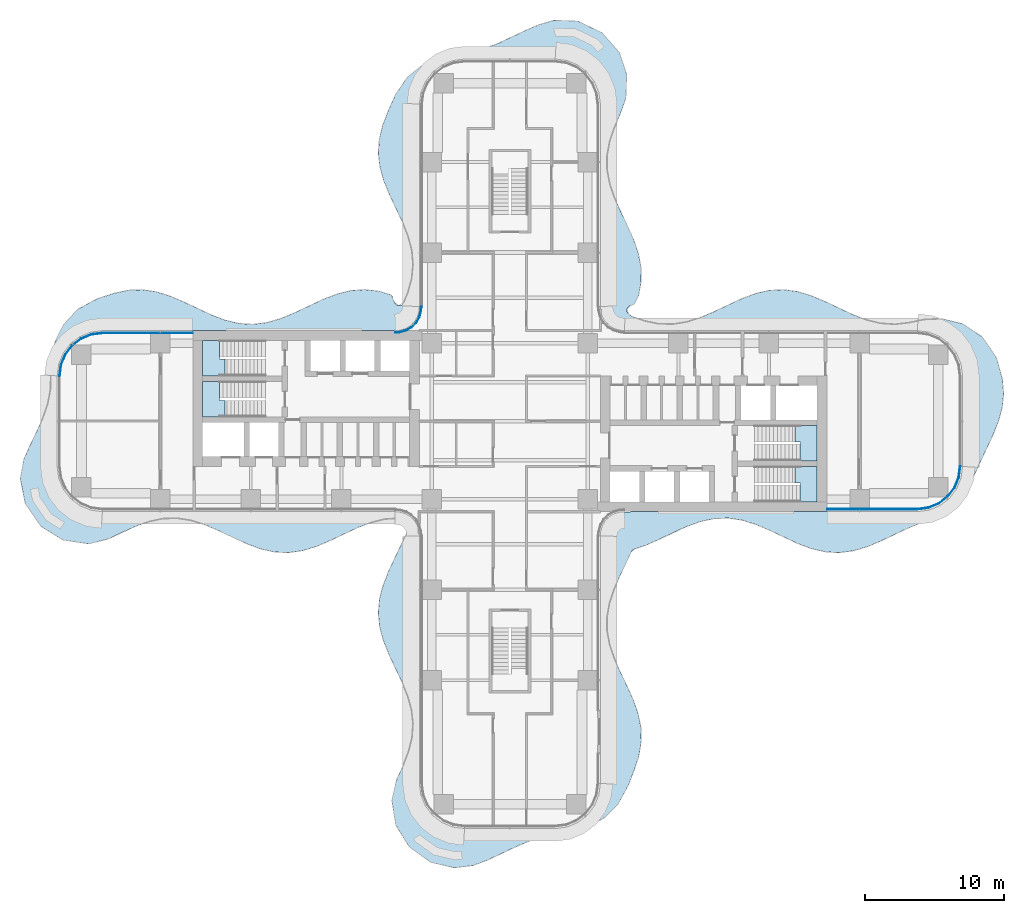
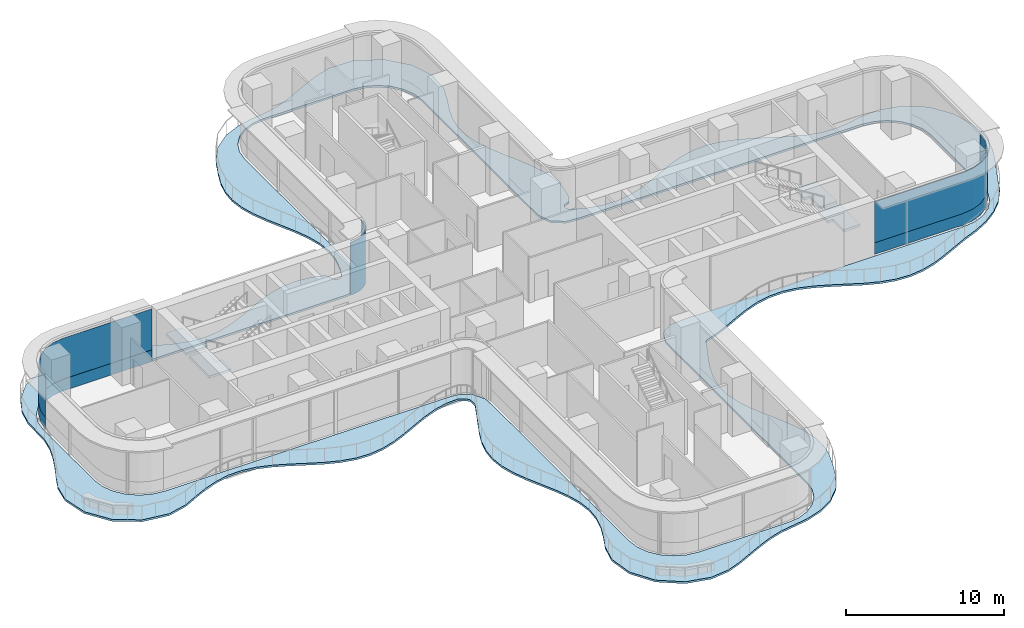
# One storey, part 15 of 23: 5 plates, 5 slabs, 7 elements without a shape of their own.
"""IFC4 building model written with IfcOpenShell, lengths in metres."""

from ifc_helpers import new_model, si_unit, direction, frame, origin, place, context, subcontext, project, spatial, polyline, outline, extrude, source, transform, mapped, material, layer, layer_set, type_object, element, aggregate, save


model = new_model("IFC4")

# Units and contexts
model_context = context("Model", 3, precision=1e-05, world=origin(), true_north=direction((0.0, 1.0)))
body_context = subcontext(model_context, "Body", "Model", "MODEL_VIEW")
ifc_project = project(units=[si_unit("LENGTHUNIT", "METRE"), si_unit("AREAUNIT", "SQUARE_METRE"), si_unit("VOLUMEUNIT", "CUBIC_METRE"), si_unit("PLANEANGLEUNIT", "RADIAN"), si_unit("MASSUNIT", "GRAM", prefix="KILO")], contexts=[model_context])

# Site, building, storey
site_placement = place(None, origin())
site = spatial("IfcSite", under=ifc_project, at=site_placement, CompositionType="ELEMENT")
building_placement = place(site_placement, origin())
building = spatial("IfcBuilding", under=site, at=building_placement, Name="Trellis Farm Tower", CompositionType="ELEMENT")
storey_placement = place(building_placement, frame((0.0, 0.0, 74.5)))
storey = spatial("IfcBuildingStorey", under=building, at=storey_placement, Name="L15", CompositionType="ELEMENT", Elevation=74.5)

# Slab
ifc_material_1 = material(Name="Concrete C40/50", Category="concrete")
ifc_layer_1 = layer(ifc_material_1, 0.14990234375)
ifc_layer_set_1 = layer_set([ifc_layer_1], Name="Balcony slab 150")
slab_type_1 = type_object("IfcSlabType", Name="Balcony slab 150", PredefinedType="FLOOR", material=ifc_layer_set_1)
slab_1_placement = place(storey_placement, frame((0.0, 0.0, -0.14990234375)))
element("IfcSlab", 1, at=slab_1_placement, inside=storey, type_object=slab_type_1, Name="Balcony slab", PredefinedType="FLOOR", context=body_context, shape_type="SweptSolid", body=[
    extrude(outline(polyline([(-21.897705078125, -7.43310546875), (-22.895263671875, -7.11865234375), (-22.906494140625, -7.115966796875), (-23.89697265625, -6.96435546875), (-23.910400390625, -6.963623046875), (-24.892578125, -6.99365234375), (-24.905517578125, -6.9951171875), (-25.883544921875, -7.199462890625), (-25.893310546875, -7.2021484375), (-26.873046875, -7.551513671875), (-26.87890625, -7.5537109375), (-27.86279296875, -7.9990234375), (-27.864501953125, -8.0), (-28.825927734375, -8.4638671875), (-28.85546875, -8.474609375), (-30.1748046875, -8.79931640625), (-30.20361328125, -8.803466796875), (-30.24072265625, -8.80517578125), (-30.26953125, -8.8037109375), (-32.01025390625, -8.547607421875), (-32.039794921875, -8.540283203125), (-32.076904296875, -8.526611328125), (-32.104248046875, -8.513427734375), (-33.65380859375, -7.556640625), (-33.6787109375, -7.53759765625), (-33.7080078125, -7.509521484375), (-33.728271484375, -7.485595703125), (-34.76416015625, -5.964599609375), (-34.778564453125, -5.93798828125), (-34.793701171875, -5.90185546875), (-34.802490234375, -5.872802734375), (-35.139892578125, -4.14794921875), (-35.142578125, -4.119873046875), (-35.142822265625, -4.08349609375), (-35.140380859375, -4.0546875), (-34.89208984375, -2.749755859375), (-34.881591796875, -2.716796875), (-34.455322265625, -1.759033203125), (-34.45361328125, -1.7548828125), (-33.974609375, -0.7626953125), (-33.973876953125, -0.7607421875), (-33.531982421875, 0.222900390625), (-33.52978515625, 0.228759765625), (-33.18701171875, 1.208251953125), (-33.184326171875, 1.218505859375), (-32.982177734375, 2.2587890625), (-32.98095703125, 2.271484375), (-32.938720703125, 4.4111328125), (-32.935302734375, 4.441162109375), (-32.65771484375, 5.674560546875), (-32.646240234375, 5.70703125), (-32.080078125, 6.872802734375), (-32.0556640625, 6.90869140625), (-31.03271484375, 8.022216796875), (-30.9931640625, 8.052734375), (-29.615234375, 8.791015625), (-29.59033203125, 8.801513671875), (-28.39306640625, 9.187255859375), (-28.378173828125, 9.191162109375), (-27.378173828125, 9.40380859375), (-27.351806640625, 9.406982421875), (-26.38134765625, 9.43798828125), (-26.35400390625, 9.436279296875), (-25.385009765625, 9.28955078125), (-25.362548828125, 9.2841796875), (-24.388427734375, 8.9794921875), (-24.3740234375, 8.974365234375), (-23.391357421875, 8.553466796875), (-23.386474609375, 8.55126953125), (-21.41259765625, 7.620849609375), (-21.4072265625, 7.618408203125), (-20.427001953125, 7.25), (-20.41796875, 7.247314453125), (-19.43994140625, 7.01708984375), (-19.42724609375, 7.015380859375), (-18.4462890625, 6.9560546875), (-18.4326171875, 6.95654296875), (-17.443603515625, 7.07958984375), (-17.431884765625, 7.08203125), (-16.435302734375, 7.372802734375), (-16.42724609375, 7.37548828125), (-15.40966796875, 7.799560546875), (-15.406494140625, 7.801025390625), (-13.42138671875, 8.739501953125), (-13.4111328125, 8.74365234375), (-12.423095703125, 9.125), (-12.405029296875, 9.130615234375), (-11.42529296875, 9.37255859375), (-11.400146484375, 9.37646484375), (-10.428466796875, 9.4462890625), (-10.40087890625, 9.44580078125), (-9.4326171875, 9.3359375), (-9.406494140625, 9.33056640625), (-8.543701171875, 9.07275390625), (-8.4453125, 8.9794921875), (-8.27734375, 8.51025390625), (-8.263916015625, 8.48681640625), (-8.15625, 8.361083984375), (-8.120849609375, 8.33837890625), (-7.9697265625, 8.294921875), (-7.927490234375, 8.29541015625), (-7.777587890625, 8.34228515625), (-7.74267578125, 8.365966796875), (-7.63623046875, 8.496337890625), (-7.625, 8.514892578125), (-7.32080078125, 9.24951171875), (-7.317626953125, 9.2587890625), (-7.053466796875, 10.23828125), (-7.05126953125, 10.25048828125), (-6.953857421875, 11.230224609375), (-6.95361328125, 11.243896484375), (-7.037841796875, 12.231201171875), (-7.0400390625, 12.243408203125), (-7.297607421875, 13.23876953125), (-7.30029296875, 13.24755859375), (-7.69482421875, 14.248046875), (-7.69677734375, 14.252685546875), (-8.640380859375, 16.24658203125), (-8.6435546875, 16.254150390625), (-9.05224609375, 17.25341796875), (-9.057861328125, 17.269287109375), (-9.327880859375, 18.2236328125), (-9.33251953125, 18.2470703125), (-9.4453125, 19.216064453125), (-9.44580078125, 19.24365234375), (-9.37939453125, 20.215087890625), (-9.37548828125, 20.240478515625), (-9.13623046875, 21.219970703125), (-9.130615234375, 21.23828125), (-8.7470703125, 22.2373046875), (-8.743896484375, 22.244384765625), (-8.216064453125, 23.4345703125), (-8.202392578125, 23.458984375), (-7.3603515625, 24.6796875), (-7.330810546875, 24.71142578125), (-6.228271484375, 25.59912109375), (-6.194580078125, 25.61962890625), (-5.07177734375, 26.11279296875), (-5.0439453125, 26.121826171875), (-3.9501953125, 26.364990234375), (-3.937255859375, 26.3671875), (-2.8583984375, 26.509521484375), (-2.851318359375, 26.5107421875), (-1.857421875, 26.74169921875), (-1.84814453125, 26.744384765625), (-0.8681640625, 27.11083984375), (-0.862548828125, 27.11328125), (1.111083984375, 28.04296875), (1.115966796875, 28.045166015625), (2.0947265625, 28.4658203125), (2.11279296875, 28.47216796875), (3.159423828125, 28.771728515625), (3.205810546875, 28.777587890625), (4.821044921875, 28.723876953125), (4.852294921875, 28.719482421875), (4.89013671875, 28.710205078125), (4.919189453125, 28.69970703125), (6.57958984375, 27.902099609375), (6.60546875, 27.88623046875), (6.63671875, 27.8623046875), (6.658935546875, 27.841796875), (7.841796875, 26.484619140625), (7.859130859375, 26.460205078125), (7.87841796875, 26.426513671875), (7.890380859375, 26.399169921875), (8.3857421875, 24.891357421875), (8.3916015625, 24.865478515625), (8.396484375, 24.831787109375), (8.397705078125, 24.804443359375), (8.33203125, 23.213134765625), (8.323486328125, 23.1689453125), (7.908203125, 22.0078125), (7.904296875, 21.998291015625), (7.463623046875, 20.98779296875), (7.461181640625, 20.981201171875), (7.148681640625, 20.033203125), (7.146240234375, 20.022705078125), (6.974609375, 19.044189453125), (6.973388671875, 19.031005859375), (6.979248046875, 18.04736328125), (6.98046875, 18.033935546875), (7.16650390625, 17.0419921875), (7.169189453125, 17.031494140625), (7.51123046875, 16.03271484375), (7.513671875, 16.026611328125), (7.9609375, 15.023681640625), (7.9619140625, 15.021484375), (8.445068359375, 14.020751953125), (8.447021484375, 14.0166015625), (8.889892578125, 13.022705078125), (8.89453125, 13.010498046875), (9.22509765625, 12.048828125), (9.230712890625, 12.0283203125), (9.416748046875, 11.05859375), (9.41943359375, 11.03173828125), (9.427734375, 10.03125), (9.42529296875, 10.00341796875), (9.249755859375, 9.034912109375), (9.236572265625, 8.9951171875), (8.947509765625, 8.4130859375), (8.838134765625, 8.33203125), (8.70751953125, 8.309814453125), (8.690185546875, 8.3046875), (8.5361328125, 8.23779296875), (8.504150390625, 8.2109375), (8.41845703125, 8.081298828125), (8.40625, 8.04150390625), (8.405029296875, 7.885986328125), (8.41650390625, 7.845947265625), (8.506103515625, 7.705810546875), (8.52001953125, 7.689697265625), (8.621337890625, 7.6015625), (8.6328125, 7.593505859375), (8.732177734375, 7.535400390625), (8.744873046875, 7.529296875), (9.645751953125, 7.207275390625), (9.655517578125, 7.20458984375), (10.63330078125, 6.997314453125), (10.646728515625, 6.995849609375), (11.692138671875, 6.966552734375), (11.7060546875, 6.96728515625), (12.6845703125, 7.123779296875), (12.6953125, 7.12646484375), (13.641357421875, 7.426513671875), (13.648193359375, 7.428955078125), (14.663818359375, 7.865234375), (14.666259765625, 7.8662109375), (16.640869140625, 8.795654296875), (16.652587890625, 8.800537109375), (17.651611328125, 9.169921875), (17.670654296875, 9.17529296875), (18.619384765625, 9.39013671875), (18.644775390625, 9.3935546875), (19.61376953125, 9.443115234375), (19.641357421875, 9.44189453125), (20.615478515625, 9.311767578125), (20.638671875, 9.306640625), (21.638671875, 9.006103515625), (21.65380859375, 9.000732421875), (22.6357421875, 8.58642578125), (22.6416015625, 8.583984375), (24.615234375, 7.651123046875), (24.62060546875, 7.64892578125), (25.600830078125, 7.2724609375), (25.60986328125, 7.26953125), (26.587646484375, 7.0283203125), (26.6005859375, 7.0263671875), (27.6455078125, 6.955810546875), (27.6591796875, 6.956298828125), (28.629150390625, 7.071533203125), (28.635498046875, 7.072509765625), (29.724853515625, 7.297119140625), (29.748046875, 7.2998046875), (31.001220703125, 7.3583984375), (31.044189453125, 7.354248046875), (32.47021484375, 7.001708984375), (32.51708984375, 6.98095703125), (33.893798828125, 6.06884765625), (33.9169921875, 6.0498046875), (33.943359375, 6.023681640625), (33.9619140625, 6.001220703125), (34.91748046875, 4.57666015625), (34.937255859375, 4.533447265625), (35.35400390625, 3.045654296875), (35.35888671875, 3.01806640625), (35.447265625, 1.991943359375), (35.447021484375, 1.964111328125), (35.349853515625, 0.995361328125), (35.345458984375, 0.97119140625), (35.0888671875, 0.0185546875), (35.083251953125, 0.001708984375), (34.68359375, -0.99755859375), (34.68017578125, -1.005859375), (33.7412109375, -2.9990234375), (33.740478515625, -3.000244140625), (33.230712890625, -4.13330078125), (33.218505859375, -4.155517578125), (32.537841796875, -5.16552734375), (32.518798828125, -5.1884765625), (31.7080078125, -5.989013671875), (31.69140625, -6.003173828125), (30.78759765625, -6.66650390625), (30.767822265625, -6.6787109375), (29.726318359375, -7.218994140625), (29.713623046875, -7.224853515625), (28.610595703125, -7.67138671875), (28.606689453125, -7.673095703125), (26.63037109375, -8.6083984375), (26.623779296875, -8.611083984375), (25.642333984375, -9.0205078125), (25.626953125, -9.02587890625), (24.654052734375, -9.3125), (24.63037109375, -9.317626953125), (23.629638671875, -9.444091796875), (23.601806640625, -9.44482421875), (22.633056640625, -9.385986328125), (22.607666015625, -9.382080078125), (21.63671875, -9.15234375), (21.6181640625, -9.146728515625), (20.640625, -8.777587890625), (20.629638671875, -8.77294921875), (18.655029296875, -7.841552734375), (18.652587890625, -7.840576171875), (17.669921875, -7.4208984375), (17.66259765625, -7.41845703125), (16.68408203125, -7.11376953125), (16.6728515625, -7.111083984375), (15.6943359375, -6.9638671875), (15.6806640625, -6.962890625), (14.696044921875, -6.9951171875), (14.682861328125, -6.99658203125), (13.689697265625, -7.20703125), (13.6796875, -7.2099609375), (12.680419921875, -7.570556640625), (12.6748046875, -7.57275390625), (11.67138671875, -8.030029296875), (11.669921875, -8.03076171875), (10.669921875, -8.512451171875), (10.664794921875, -8.514892578125), (9.687744140625, -8.940185546875), (9.67431640625, -8.9453125), (8.932373046875, -9.18701171875), (8.918212890625, -9.193359375), (8.81298828125, -9.25390625), (8.7900390625, -9.2744140625), (8.718505859375, -9.372314453125), (8.710693359375, -9.3857421875), (8.419189453125, -10.033203125), (8.41748046875, -10.03662109375), (7.936279296875, -11.033935546875), (7.935302734375, -11.0361328125), (7.491943359375, -12.038818359375), (7.489501953125, -12.04541015625), (7.15478515625, -13.043701171875), (7.152099609375, -13.054443359375), (6.975341796875, -14.0458984375), (6.97412109375, -14.059326171875), (6.978271484375, -15.04248046875), (6.9794921875, -15.055908203125), (7.16015625, -16.033935546875), (7.162841796875, -16.04443359375), (7.493896484375, -17.023681640625), (7.496337890625, -17.02978515625), (7.9267578125, -18.002685546875), (7.927978515625, -18.0048828125), (8.410888671875, -19.006591796875), (8.41259765625, -19.010009765625), (8.860595703125, -20.00439453125), (8.865478515625, -20.01611328125), (9.205322265625, -20.97900390625), (9.210693359375, -20.998779296875), (9.40869140625, -21.968994140625), (9.411865234375, -21.995361328125), (9.435546875, -22.964599609375), (9.43359375, -22.991943359375), (9.2783203125, -23.967041015625), (9.273193359375, -23.9892578125), (8.952880859375, -24.989013671875), (8.949951171875, -24.99755859375), (8.51513671875, -26.11181640625), (8.50732421875, -26.12890625), (7.792236328125, -27.44970703125), (7.766845703125, -27.48388671875), (6.78857421875, -28.470947265625), (6.75634765625, -28.49560546875), (5.671142578125, -29.114990234375), (5.643798828125, -29.126953125), (4.522216796875, -29.498291015625), (4.4990234375, -29.50390625), (2.402587890625, -29.84521484375), (2.39306640625, -29.847412109375), (1.39697265625, -30.1494140625), (1.389404296875, -30.152099609375), (0.372802734375, -30.582275390625), (0.3701171875, -30.58349609375), (-1.60400390625, -31.515380859375), (-1.615478515625, -31.52001953125), (-2.61669921875, -31.894775390625), (-2.6513671875, -31.9033203125), (-3.939697265625, -32.05908203125), (-3.9658203125, -32.059814453125), (-3.999755859375, -32.05810546875), (-4.025634765625, -32.05419921875), (-5.640380859375, -31.678955078125), (-5.668212890625, -31.66943359375), (-5.702880859375, -31.65380859375), (-5.728515625, -31.63916015625), (-7.177978515625, -30.600830078125), (-7.2001953125, -30.581298828125), (-7.226318359375, -30.55322265625), (-7.244384765625, -30.529541015625), (-8.181640625, -29.010498046875), (-8.19482421875, -28.983154296875), (-8.208251953125, -28.9462890625), (-8.2158203125, -28.9169921875), (-8.466796875, -27.236328125), (-8.468505859375, -27.20849609375), (-8.467041015625, -27.172119140625), (-8.463134765625, -27.143798828125), (-8.1396484375, -25.7607421875), (-8.1298828125, -25.732177734375), (-7.67333984375, -24.7412109375), (-7.67138671875, -24.737060546875), (-7.282470703125, -23.7353515625), (-7.279541015625, -23.726318359375), (-7.03076171875, -22.7314453125), (-7.02880859375, -22.718994140625), (-6.954345703125, -21.732177734375), (-6.95458984375, -21.718505859375), (-7.061279296875, -20.739013671875), (-7.063720703125, -20.72705078125), (-7.3349609375, -19.748779296875), (-7.337646484375, -19.74072265625), (-7.735107421875, -18.75927734375), (-7.737060546875, -18.75537109375), (-8.672119140625, -16.78125), (-8.67578125, -16.77294921875), (-9.0771484375, -15.773681640625), (-9.082763671875, -15.7568359375), (-9.34716796875, -14.77587890625), (-9.3515625, -14.751708984375), (-9.447021484375, -13.779052734375), (-9.447265625, -13.751220703125), (-9.36279296875, -12.782470703125), (-9.3583984375, -12.758056640625), (-9.11279296875, -11.806396484375), (-9.107421875, -11.7890625), (-8.71533203125, -10.789794921875), (-8.71142578125, -10.780517578125), (-7.43701171875, -8.0703125), (-7.431396484375, -8.05322265625), (-7.40283203125, -7.910888671875), (-7.401611328125, -7.893310546875), (-7.414306640625, -7.560302734375), (-7.416748046875, -7.54345703125), (-7.4521484375, -7.41455078125), (-7.46826171875, -7.385009765625), (-7.55712890625, -7.285400390625), (-7.56982421875, -7.27392578125), (-7.889892578125, -7.048583984375), (-7.911865234375, -7.0380859375), (-8.106201171875, -6.981689453125), (-8.131103515625, -6.97900390625), (-8.94140625, -7.0244140625), (-8.95458984375, -7.026123046875), (-9.88671875, -7.250732421875), (-9.895751953125, -7.25341796875), (-10.918701171875, -7.641357421875), (-10.924072265625, -7.6435546875), (-12.897705078125, -8.57568359375), (-12.9033203125, -8.578369140625), (-13.885498046875, -8.994384765625), (-13.900146484375, -8.99951171875), (-14.8740234375, -9.296875), (-14.896728515625, -9.3017578125), (-15.86572265625, -9.439453125), (-15.89306640625, -9.44091796875), (-16.864013671875, -9.400146484375), (-16.889892578125, -9.396728515625), (-17.8681640625, -9.180908203125), (-17.887451171875, -9.17529296875), (-18.87451171875, -8.81298828125), (-18.885498046875, -8.80859375), (-19.880615234375, -8.352294921875), (-19.88330078125, -8.35107421875), (-20.885498046875, -7.868896484375), (-20.888427734375, -7.867431640625), (-21.890380859375, -7.435791015625), (-21.897705078125, -7.43310546875)]), holes=[polyline([(-6.7958984375, 7.276123046875), (-7.408935546875, 6.71240234375), (-7.444580078125, 6.68798828125), (-7.4931640625, 6.664306640625), (-7.5341796875, 6.651123046875), (-8.409912109375, 6.50439453125), (-8.434814453125, 6.50244140625), (-23.109619140625, 6.50048828125), (-29.25, 6.50048828125), (-30.09130859375, 6.389892578125), (-30.875244140625, 6.065185546875), (-31.548583984375, 5.548583984375), (-32.065185546875, 4.875244140625), (-32.389892578125, 4.09130859375), (-32.50048828125, 3.25), (-32.50048828125, -3.25), (-32.389892578125, -4.09130859375), (-32.065185546875, -4.875244140625), (-31.548583984375, -5.548583984375), (-30.875244140625, -6.065185546875), (-30.09130859375, -6.389892578125), (-29.25, -6.50048828125), (-8.893798828125, -6.50048828125), (-7.973388671875, -6.525390625), (-7.94189453125, -6.52978515625), (-7.90234375, -6.539306640625), (-7.872314453125, -6.550048828125), (-7.106689453125, -6.919921875), (-7.0693359375, -6.94580078125), (-7.0283203125, -6.984130859375), (-7.00048828125, -7.019775390625), (-6.58544921875, -7.75439453125), (-6.572265625, -7.785888671875), (-6.559814453125, -7.827880859375), (-6.55419921875, -7.861572265625), (-6.50048828125, -8.785888671875), (-6.50048828125, -26.0), (-6.389892578125, -26.84130859375), (-6.065185546875, -27.625244140625), (-5.548583984375, -28.298583984375), (-4.875244140625, -28.815185546875), (-4.09130859375, -29.139892578125), (-3.25, -29.25048828125), (3.25, -29.25048828125), (4.09130859375, -29.139892578125), (4.875244140625, -28.815185546875), (5.548583984375, -28.298583984375), (6.065185546875, -27.625244140625), (6.389892578125, -26.84130859375), (6.50048828125, -26.0), (6.50048828125, -8.989501953125), (6.511962890625, -8.083984375), (6.514892578125, -8.057373046875), (6.521484375, -8.023193359375), (6.52880859375, -7.997314453125), (6.840087890625, -7.19580078125), (6.863525390625, -7.155517578125), (6.899658203125, -7.111083984375), (6.934326171875, -7.079833984375), (7.63720703125, -6.621826171875), (7.670166015625, -6.605712890625), (7.714111328125, -6.590576171875), (7.749755859375, -6.5830078125), (8.677490234375, -6.50048828125), (29.25, -6.50048828125), (30.09130859375, -6.389892578125), (30.875244140625, -6.065185546875), (31.548583984375, -5.548583984375), (32.065185546875, -4.875244140625), (32.389892578125, -4.09130859375), (32.50048828125, -3.25), (32.50048828125, 3.25), (32.389892578125, 4.09130859375), (32.065185546875, 4.875244140625), (31.548583984375, 5.548583984375), (30.875244140625, 6.065185546875), (30.09130859375, 6.389892578125), (29.25, 6.50048828125), (8.677490234375, 6.50048828125), (7.749755859375, 6.5830078125), (7.714111328125, 6.590576171875), (7.670166015625, 6.605712890625), (7.63720703125, 6.621826171875), (6.934326171875, 7.079833984375), (6.899658203125, 7.111083984375), (6.863525390625, 7.155517578125), (6.840087890625, 7.19580078125), (6.52880859375, 7.997314453125), (6.521484375, 8.023193359375), (6.514892578125, 8.057373046875), (6.511962890625, 8.083984375), (6.50048828125, 8.989501953125), (6.50048828125, 22.75), (6.389892578125, 23.59130859375), (6.065185546875, 24.375244140625), (5.548583984375, 25.048583984375), (4.875244140625, 25.565185546875), (4.09130859375, 25.889892578125), (3.25, 26.00048828125), (-3.25, 26.00048828125), (-4.09130859375, 25.889892578125), (-4.875244140625, 25.565185546875), (-5.548583984375, 25.048583984375), (-6.065185546875, 24.375244140625), (-6.389892578125, 23.59130859375), (-6.50048828125, 22.75), (-6.50048828125, 8.313720703125), (-6.50439453125, 8.282470703125), (-6.724365234375, 7.396484375), (-6.7412109375, 7.355712890625), (-6.768798828125, 7.309814453125), (-6.7958984375, 7.276123046875)])]), origin(), (0.0, 0.0, 1.0), 0.14990234375),
])

# Stair, slab
ifc_material_2 = material(Name="Concrete C50/60", Category="concrete")
stair_type = type_object("IfcStairType", Name="CORE EXIT STAIR 26 RISERS 173 MM", PredefinedType="HALF_TURN_STAIR", material=ifc_material_2)
placement_1 = place(storey_placement, origin())
stair_1 = element("IfcStair", 2, at=placement_1, inside=storey, type_object=stair_type, Name="Exit stair E1", PredefinedType="HALF_TURN_STAIR")
ifc_layer_2 = layer(ifc_material_2, 0.18994140625)
ifc_layer_set_2 = layer_set([ifc_layer_2], Name="CORE STAIR LANDING 190 CONCRETE C50/60")
slab_type_2 = type_object("IfcSlabType", Name="CORE STAIR LANDING 190 CONCRETE C50/60", PredefinedType="LANDING", material=ifc_layer_set_2)
shared_shape_1 = source(origin(), body_context, "Body", "SweptSolid", [
    extrude(outline(polyline([(20.840087890625, -5.800048828125), (20.840087890625, -4.60009765625), (20.85009765625, -4.60009765625), (20.85009765625, -4.449951171875), (20.453125, -4.449951171875), (20.453125, -3.25), (20.85009765625, -3.25), (22.050048828125, -3.25), (22.050048828125, -5.800048828125), (20.85009765625, -5.800048828125), (20.840087890625, -5.800048828125)])), origin(), (0.0, 0.0, 1.0), 0.18994140625),
])
placement_2 = place(storey_placement, frame((0.0, 0.0, 2.06005859375)))
slab_2 = element("IfcSlab", 3, at=placement_2, type_object=slab_type_2, Name="STE1 landing 1", PredefinedType="LANDING", context=body_context, shape_type="MappedRepresentation", body=[
    mapped(shared_shape_1, transform((0.0, 0.0, 0.0))),
])
aggregate(stair_1, [slab_2])

stair_2 = element("IfcStair", 4, at=placement_1, inside=storey, type_object=stair_type, Name="Exit stair E2", PredefinedType="HALF_TURN_STAIR")
shared_shape_2 = source(origin(), body_context, "Body", "SweptSolid", [
    extrude(outline(polyline([(20.840087890625, -2.85009765625), (20.840087890625, -1.64990234375), (20.85009765625, -1.64990234375), (20.85009765625, -1.5), (20.453125, -1.5), (20.453125, -0.300048828125), (20.85009765625, -0.300048828125), (22.050048828125, -0.300048828125), (22.050048828125, -2.85009765625), (20.85009765625, -2.85009765625), (20.840087890625, -2.85009765625)])), origin(), (0.0, 0.0, 1.0), 0.18994140625),
])
slab_3 = element("IfcSlab", 5, at=placement_2, type_object=slab_type_2, Name="STE2 landing 1", PredefinedType="LANDING", context=body_context, shape_type="MappedRepresentation", body=[
    mapped(shared_shape_2, transform((0.0, 0.0, 0.0))),
])
aggregate(stair_2, [slab_3])

stair_3 = element("IfcStair", 6, at=placement_1, inside=storey, type_object=stair_type, Name="Exit stair W1", PredefinedType="HALF_TURN_STAIR")
shared_shape_3 = source(origin(), body_context, "Body", "SweptSolid", [
    extrude(outline(polyline([(-20.453125, 4.449951171875), (-20.453125, 3.25), (-20.85009765625, 3.25), (-22.050048828125, 3.25), (-22.050048828125, 5.800048828125), (-20.85009765625, 5.800048828125), (-20.840087890625, 5.800048828125), (-20.840087890625, 4.60009765625), (-20.85009765625, 4.60009765625), (-20.85009765625, 4.449951171875), (-20.453125, 4.449951171875)])), origin(), (0.0, 0.0, 1.0), 0.18994140625),
])
slab_4 = element("IfcSlab", 7, at=placement_2, type_object=slab_type_2, Name="STW1 landing 1", PredefinedType="LANDING", context=body_context, shape_type="MappedRepresentation", body=[
    mapped(shared_shape_3, transform((0.0, 0.0, 0.0))),
])
aggregate(stair_3, [slab_4])

stair_4 = element("IfcStair", 8, at=placement_1, inside=storey, type_object=stair_type, Name="Exit stair W2", PredefinedType="HALF_TURN_STAIR")
shared_shape_4 = source(origin(), body_context, "Body", "SweptSolid", [
    extrude(outline(polyline([(-20.453125, 1.5), (-20.453125, 0.300048828125), (-20.85009765625, 0.300048828125), (-22.050048828125, 0.300048828125), (-22.050048828125, 2.85009765625), (-20.85009765625, 2.85009765625), (-20.840087890625, 2.85009765625), (-20.840087890625, 1.64990234375), (-20.85009765625, 1.64990234375), (-20.85009765625, 1.5), (-20.453125, 1.5)])), origin(), (0.0, 0.0, 1.0), 0.18994140625),
])
slab_5 = element("IfcSlab", 9, at=placement_2, type_object=slab_type_2, Name="STW2 landing 1", PredefinedType="LANDING", context=body_context, shape_type="MappedRepresentation", body=[
    mapped(shared_shape_4, transform((0.0, 0.0, 0.0))),
])
aggregate(stair_4, [slab_5])

# Curtain wall, plates
ifc_material_3 = material(Name="Aluminium and glass curtain wall", Category="aluminium")
ifc_layer_3 = layer(ifc_material_3, 0.18994140625)
ifc_layer_set_3 = layer_set([ifc_layer_3], Name="RIBBON CURTAIN WALL CW1")
curtain_wall_type_1 = type_object("IfcCurtainWallType", Name="RIBBON CURTAIN WALL CW1", PredefinedType="NOTDEFINED", material=ifc_layer_set_3)
curtain_wall_1 = element("IfcCurtainWall", 10, at=placement_1, inside=storey, type_object=curtain_wall_type_1, Name="CW1 006", PredefinedType="NOTDEFINED")
ifc_material_4 = material(Name="Clear insulated glass", Category="glass")
ifc_layer_4 = layer(ifc_material_4, 0.0400390625)
ifc_layer_set_4 = layer_set([ifc_layer_4], Name="CW1 GLASS PANEL 40")
plate_type_1 = type_object("IfcPlateType", Name="CW1 GLASS PANEL 40", PredefinedType="CURTAIN_PANEL", material=ifc_layer_set_4)
shared_shape_5 = source(origin(), body_context, "Body", "SweptSolid", [
    extrude(outline(polyline([(22.780029296875, -6.35009765625), (29.240234375, -6.35009765625), (30.052001953125, -6.2431640625), (30.79931640625, -5.93359375), (31.441162109375, -5.441162109375), (31.93359375, -4.79931640625), (32.2431640625, -4.052001953125), (32.35009765625, -3.240234375), (32.31005859375, -3.237548828125), (32.2041015625, -4.04150390625), (31.898681640625, -4.779296875), (31.41259765625, -5.41259765625), (30.779296875, -5.898681640625), (30.04150390625, -6.2041015625), (29.237548828125, -6.31005859375), (22.780029296875, -6.31005859375), (22.780029296875, -6.35009765625)])), origin(), (0.0, 0.0, 1.0), 3.170166015625),
])
placement_3 = place(storey_placement, frame((0.0, 0.0, 0.89990234375)))
plate_1 = element("IfcPlate", 11, at=placement_3, type_object=plate_type_1, Name="PL1 006", PredefinedType="CURTAIN_PANEL", context=body_context, shape_type="MappedRepresentation", body=[
    mapped(shared_shape_5, transform((0.0, 0.0, 0.0))),
])
ifc_material_5 = material(Name="Sandstone faced insulated panel", Category="masonry")
ifc_layer_5 = layer(ifc_material_5, 0.050048828125)
ifc_layer_set_5 = layer_set([ifc_layer_5], Name="CW1 STONE SPANDREL PANEL 50")
plate_type_2 = type_object("IfcPlateType", Name="CW1 STONE SPANDREL PANEL 50", PredefinedType="CURTAIN_PANEL", material=ifc_layer_set_5)
shared_shape_6 = source(origin(), body_context, "Body", "SweptSolid", [
    extrude(outline(polyline([(22.780029296875, -6.35009765625), (29.240234375, -6.35009765625), (30.052001953125, -6.2431640625), (30.79931640625, -5.93359375), (31.441162109375, -5.441162109375), (31.93359375, -4.79931640625), (32.2431640625, -4.052001953125), (32.35009765625, -3.240234375), (32.300048828125, -3.23681640625), (32.1943359375, -4.0390625), (31.889892578125, -4.774169921875), (31.405517578125, -5.405517578125), (30.774169921875, -5.889892578125), (30.0390625, -6.1943359375), (29.23681640625, -6.300048828125), (22.780029296875, -6.300048828125), (22.780029296875, -6.35009765625)])), origin(), (0.0, 0.0, 1.0), 0.89990234375),
])
plate_2 = element("IfcPlate", 12, at=placement_1, type_object=plate_type_2, Name="PS1 006", PredefinedType="CURTAIN_PANEL", context=body_context, shape_type="MappedRepresentation", body=[
    mapped(shared_shape_6, transform((0.0, 0.0, 0.0))),
])
aggregate(curtain_wall_1, [plate_1, plate_2])

# Curtain wall, plate
ifc_layer_6 = layer(ifc_material_3, 0.166015625)
ifc_layer_set_6 = layer_set([ifc_layer_6], Name="WINTER GARDEN CURTAIN WALL CW3")
curtain_wall_type_2 = type_object("IfcCurtainWallType", Name="WINTER GARDEN CURTAIN WALL CW3", PredefinedType="NOTDEFINED", material=ifc_layer_set_6)
curtain_wall_2 = element("IfcCurtainWall", 13, at=placement_1, inside=storey, type_object=curtain_wall_type_2, Name="CW3 004", PredefinedType="NOTDEFINED")
ifc_layer_7 = layer(ifc_material_4, 0.0458984375)
ifc_layer_set_7 = layer_set([ifc_layer_7], Name="CW3 GLASS PANEL 46")
plate_type_3 = type_object("IfcPlateType", Name="CW3 GLASS PANEL 46", PredefinedType="CURTAIN_PANEL", material=ifc_layer_set_7)
shared_shape_7 = source(origin(), body_context, "Body", "SweptSolid", [
    extrude(outline(polyline([(-6.3798828125, 8.2275390625), (-6.394287109375, 8.0078125), (-6.40966796875, 7.89208984375), (-6.52490234375, 7.462158203125), (-6.7509765625, 7.070556640625), (-7.070556640625, 6.7509765625), (-7.462158203125, 6.52490234375), (-7.89208984375, 6.40966796875), (-8.0078125, 6.394287109375), (-8.2275390625, 6.3798828125), (-8.22607421875, 6.333984375), (-8.003173828125, 6.3486328125), (-7.883056640625, 6.364501953125), (-7.4443359375, 6.48193359375), (-7.04248046875, 6.714111328125), (-6.714111328125, 7.04248046875), (-6.48193359375, 7.4443359375), (-6.364501953125, 7.883056640625), (-6.3486328125, 8.003173828125), (-6.333984375, 8.22607421875), (-6.3798828125, 8.2275390625)])), origin(), (0.0, 0.0, 1.0), 4.10009765625),
])
plate_3 = element("IfcPlate", 14, at=placement_1, type_object=plate_type_3, Name="PL3 004", PredefinedType="CURTAIN_PANEL", context=body_context, shape_type="MappedRepresentation", body=[
    mapped(shared_shape_7, transform((0.0, 0.0, 0.0))),
])
aggregate(curtain_wall_2, [plate_3])

# Curtain wall, plates
curtain_wall_3 = element("IfcCurtainWall", 15, at=placement_1, inside=storey, type_object=curtain_wall_type_1, Name="CW1 012", PredefinedType="NOTDEFINED")
shared_shape_8 = source(origin(), body_context, "Body", "SweptSolid", [
    extrude(outline(polyline([(-22.780029296875, 6.35009765625), (-29.240234375, 6.35009765625), (-30.052001953125, 6.2431640625), (-30.79931640625, 5.93359375), (-31.441162109375, 5.441162109375), (-31.93359375, 4.79931640625), (-32.2431640625, 4.052001953125), (-32.35009765625, 3.240234375), (-32.31005859375, 3.237548828125), (-32.2041015625, 4.04150390625), (-31.898681640625, 4.779296875), (-31.41259765625, 5.41259765625), (-30.779296875, 5.898681640625), (-30.04150390625, 6.2041015625), (-29.237548828125, 6.31005859375), (-22.780029296875, 6.31005859375), (-22.780029296875, 6.35009765625)])), origin(), (0.0, 0.0, 1.0), 3.170166015625),
])
plate_4 = element("IfcPlate", 16, at=placement_3, type_object=plate_type_1, Name="PL1 012", PredefinedType="CURTAIN_PANEL", context=body_context, shape_type="MappedRepresentation", body=[
    mapped(shared_shape_8, transform((0.0, 0.0, 0.0))),
])
shared_shape_9 = source(origin(), body_context, "Body", "SweptSolid", [
    extrude(outline(polyline([(-22.780029296875, 6.35009765625), (-29.240234375, 6.35009765625), (-30.052001953125, 6.2431640625), (-30.79931640625, 5.93359375), (-31.441162109375, 5.441162109375), (-31.93359375, 4.79931640625), (-32.2431640625, 4.052001953125), (-32.35009765625, 3.240234375), (-32.300048828125, 3.23681640625), (-32.1943359375, 4.0390625), (-31.889892578125, 4.774169921875), (-31.405517578125, 5.405517578125), (-30.774169921875, 5.889892578125), (-30.0390625, 6.1943359375), (-29.23681640625, 6.300048828125), (-22.780029296875, 6.300048828125), (-22.780029296875, 6.35009765625)])), origin(), (0.0, 0.0, 1.0), 0.89990234375),
])
plate_5 = element("IfcPlate", 17, at=placement_1, type_object=plate_type_2, Name="PS1 012", PredefinedType="CURTAIN_PANEL", context=body_context, shape_type="MappedRepresentation", body=[
    mapped(shared_shape_9, transform((0.0, 0.0, 0.0))),
])
aggregate(curtain_wall_3, [plate_4, plate_5])

save(model, "model.ifc")
